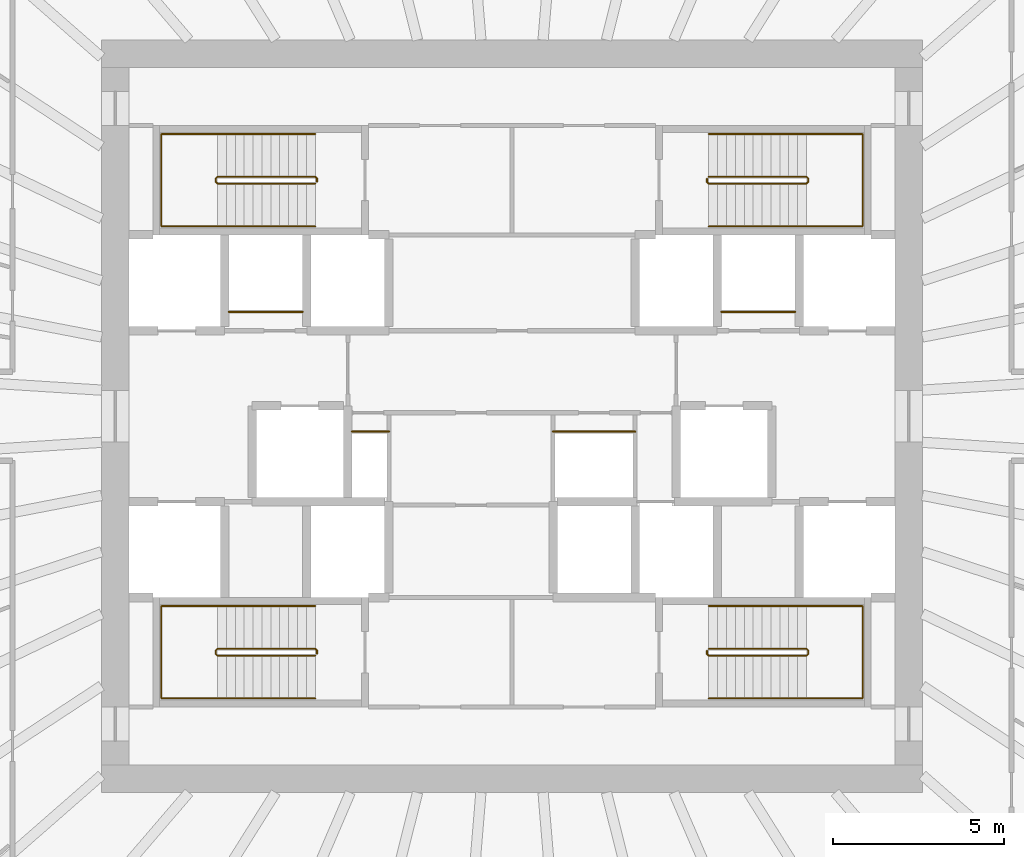
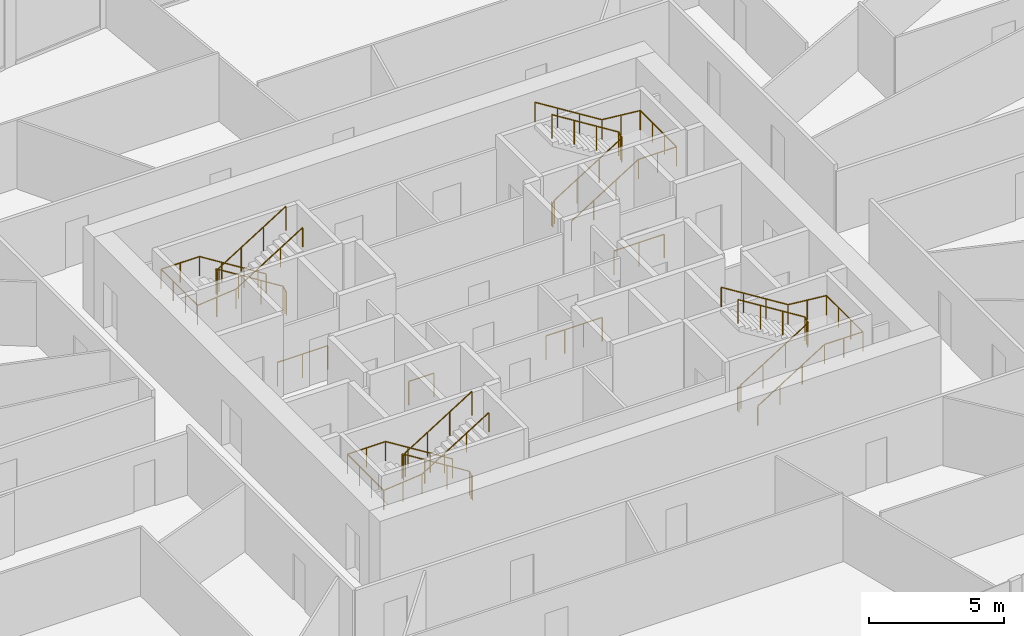
# One storey, part 11 of 11: 12 railings.
"""IFC4 building model written with IfcOpenShell, lengths in metres."""

from ifc_helpers import new_model, si_unit, direction, frame, origin, origin_2d, place, context, subcontext, project, spatial, circle, extrude, source, transform, mapped, material, type_object, element, save


model = new_model("IFC4")

# Units and contexts
model_context = context("Model", 3, precision=1e-05, world=origin(), true_north=direction((0.0, 1.0)))
body_context = subcontext(model_context, "Body", "Model", "MODEL_VIEW")
ifc_project = project(units=[si_unit("LENGTHUNIT", "METRE"), si_unit("AREAUNIT", "SQUARE_METRE"), si_unit("VOLUMEUNIT", "CUBIC_METRE"), si_unit("PLANEANGLEUNIT", "RADIAN"), si_unit("MASSUNIT", "GRAM", prefix="KILO")], contexts=[model_context])

# Site, building, storey
site_placement = place(None, origin())
site = spatial("IfcSite", under=ifc_project, at=site_placement, CompositionType="ELEMENT")
building_placement = place(site_placement, origin())
building = spatial("IfcBuilding", under=site, at=building_placement, Name="Embergate Tower", CompositionType="ELEMENT")
storey_placement = place(building_placement, frame((0.0, 0.0, 207.300048828125)))
storey = spatial("IfcBuildingStorey", under=building, at=storey_placement, Name="L47", CompositionType="ELEMENT", Elevation=207.300048828125)

# Railings
ifc_material_1 = material(Name="Stair guard 1100")
railing_type_1 = type_object("IfcRailingType", Name="Stair guard 1100", PredefinedType="GUARDRAIL", material=ifc_material_1)
shared_shape_1 = source(origin(), body_context, "Body", "SweptSolid", [
    extrude(circle(Radius=0.02392578125, at=origin_2d()), frame((0.0, 0.0, 1.076171875), z_axis=(0.0, 1.0, 0.0), x_axis=(-1.0, 0.0, 0.0)), (0.0, 0.0, 1.0), 0.099853515625),
    extrude(circle(Radius=0.02392578125, at=origin_2d()), frame((0.0, 0.099853515625, 1.076171875), z_axis=(-0.282583949758, 0.282583949758, 0.916674763849), x_axis=(-0.707106781187, -0.707106781187, 0.0)), (0.0, 0.0, 1.0), 0.177001953125),
    extrude(circle(Radius=0.02392578125, at=origin_2d()), frame((-0.050048828125, 0.14990234375, 1.23828125), z_axis=(-0.847994237388, 0.0, 0.530005446535), x_axis=(0.0, -1.0, 0.0)), (0.0, 0.0, 1.0), 3.372802734375),
    extrude(circle(Radius=0.02392578125, at=origin_2d()), frame((-2.91015625, 0.14990234375, 3.02587890625), z_axis=(-0.705375805398, -0.708833529934, 0.0), x_axis=(0.708833529934, -0.705375805398, 0.0)), (0.0, 0.0, 1.0), 0.070556640625),
    extrude(circle(Radius=0.02392578125, at=origin_2d()), frame((-2.9599609375, 0.099853515625, 3.02587890625), z_axis=(0.0, -1.0, 0.0), x_axis=(1.0, 0.0, 0.0)), (0.0, 0.0, 1.0), 0.099853515625),
    extrude(circle(Radius=0.02392578125, at=origin_2d()), frame((-2.9599609375, 0.0, 3.02587890625), z_axis=(0.280959487676, -0.282336740067, 0.917250092119), x_axis=(0.708833529934, 0.705375805398, 0.0)), (0.0, 0.0, 1.0), 0.17724609375),
    extrude(circle(Radius=0.02392578125, at=origin_2d()), frame((-2.91015625, -0.050048828125, 3.1884765625), z_axis=(0.848026770018, 0.0, 0.529953391661), x_axis=(0.0, 1.0, 0.0)), (0.0, 0.0, 1.0), 3.37255859375),
    extrude(circle(Radius=0.02099609375, at=origin_2d()), origin(), (0.0, 0.0, 1.0), 1.052001953125),
    extrude(circle(Radius=0.02099609375, at=origin_2d()), frame((0.0, 0.099853515625, 0.0)), (0.0, 0.0, 1.0), 1.052001953125),
    extrude(circle(Radius=0.02099609375, at=origin_2d()), frame((-0.050048828125, 0.14990234375, 0.162353515625)), (0.0, 0.0, 1.0), 1.052001953125),
    extrude(circle(Radius=0.02099609375, at=origin_2d()), frame((-1.00341796875, 0.14990234375, 0.75830078125)), (0.0, 0.0, 1.0), 1.052001953125),
    extrude(circle(Radius=0.02099609375, at=origin_2d()), frame((-1.956787109375, 0.14990234375, 1.35400390625)), (0.0, 0.0, 1.0), 1.052001953125),
    extrude(circle(Radius=0.02099609375, at=origin_2d()), frame((-2.91015625, 0.14990234375, 1.949951171875)), (0.0, 0.0, 1.0), 1.052001953125),
    extrude(circle(Radius=0.02099609375, at=origin_2d()), frame((-2.9599609375, 0.099853515625, 1.949951171875)), (0.0, 0.0, 1.0), 1.052001953125),
    extrude(circle(Radius=0.02099609375, at=origin_2d()), frame((-2.9599609375, 0.0, 1.949951171875)), (0.0, 0.0, 1.0), 1.052001953125),
    extrude(circle(Radius=0.02099609375, at=origin_2d()), frame((-2.91015625, -0.050048828125, 2.112548828125)), (0.0, 0.0, 1.0), 1.052001953125),
    extrude(circle(Radius=0.02099609375, at=origin_2d()), frame((-1.956787109375, -0.050048828125, 2.708251953125)), (0.0, 0.0, 1.0), 1.052001953125),
    extrude(circle(Radius=0.02099609375, at=origin_2d()), frame((-1.00341796875, -0.050048828125, 3.30419921875)), (0.0, 0.0, 1.0), 1.052001953125),
    extrude(circle(Radius=0.02099609375, at=origin_2d()), frame((-0.050048828125, -0.050048828125, 3.89990234375)), (0.0, 0.0, 1.0), 1.052001953125),
])
for number, where, name in (
    (1, (-5.699951171875, 6.85009765625, 0.0), "L47 ST1 stair guard 1"),
    (2, (-5.699951171875, -6.949951171875, 0.0), "L47 ST3 stair guard 1"),
):
    element("IfcRailing", number, at=place(storey_placement, frame(where)), inside=storey, type_object=railing_type_1, Name=name, PredefinedType="GUARDRAIL", context=body_context, shape_type="MappedRepresentation", body=[
        mapped(shared_shape_1, transform((0.0, 0.0, 0.0))),
    ])
ifc_material_2 = material(Name="Stair handrail 900")
railing_type_2 = type_object("IfcRailingType", Name="Stair handrail 900", PredefinedType="HANDRAIL", material=ifc_material_2)
shared_shape_2 = source(origin(), body_context, "Body", "SweptSolid", [
    extrude(circle(Radius=0.02392578125, at=origin_2d()), frame((0.0, 0.0, 0.8759765625), z_axis=(-0.847994237388, 0.0, 0.530005446535), x_axis=(0.0, -1.0, 0.0)), (0.0, 0.0, 1.0), 3.372802734375),
    extrude(circle(Radius=0.02392578125, at=origin_2d()), frame((-2.860107421875, 0.0, 2.66357421875), z_axis=(-1.0, 0.0, 0.0), x_axis=(0.0, -1.0, 0.0)), (0.0, 0.0, 1.0), 1.639892578125),
    extrude(circle(Radius=0.02392578125, at=origin_2d()), frame((-4.5, 0.0, 2.66357421875), z_axis=(0.0, -1.0, 0.0), x_axis=(1.0, 0.0, 0.0)), (0.0, 0.0, 1.0), 2.699951171875),
    extrude(circle(Radius=0.02392578125, at=origin_2d()), frame((-4.5, -2.699951171875, 2.66357421875), z_axis=(0.995120448088, 0.0, 0.098667592441), x_axis=(0.0, 1.0, 0.0)), (0.0, 0.0, 1.0), 1.64794921875),
    extrude(circle(Radius=0.02392578125, at=origin_2d()), frame((-2.860107421875, -2.699951171875, 2.826171875), z_axis=(0.848026770018, 0.0, 0.529953391661), x_axis=(0.0, 1.0, 0.0)), (0.0, 0.0, 1.0), 3.37255859375),
    extrude(circle(Radius=0.02099609375, at=origin_2d()), origin(), (0.0, 0.0, 1.0), 0.851806640625),
    extrude(circle(Radius=0.02099609375, at=origin_2d()), frame((-0.953369140625, 0.0, 0.595947265625)), (0.0, 0.0, 1.0), 0.851806640625),
    extrude(circle(Radius=0.02099609375, at=origin_2d()), frame((-1.90673828125, 0.0, 1.191650390625)), (0.0, 0.0, 1.0), 0.851806640625),
    extrude(circle(Radius=0.02099609375, at=origin_2d()), frame((-2.860107421875, 0.0, 1.78759765625)), (0.0, 0.0, 1.0), 0.851806640625),
    extrude(circle(Radius=0.02099609375, at=origin_2d()), frame((-3.68017578125, 0.0, 1.78759765625)), (0.0, 0.0, 1.0), 0.851806640625),
    extrude(circle(Radius=0.02099609375, at=origin_2d()), frame((-4.5, 0.0, 1.78759765625)), (0.0, 0.0, 1.0), 0.851806640625),
    extrude(circle(Radius=0.02099609375, at=origin_2d()), frame((-4.5, -0.89990234375, 1.78759765625)), (0.0, 0.0, 1.0), 0.851806640625),
    extrude(circle(Radius=0.02099609375, at=origin_2d()), frame((-4.5, -1.800048828125, 1.78759765625)), (0.0, 0.0, 1.0), 0.851806640625),
    extrude(circle(Radius=0.02099609375, at=origin_2d()), frame((-4.5, -2.699951171875, 1.78759765625)), (0.0, 0.0, 1.0), 0.851806640625),
    extrude(circle(Radius=0.02099609375, at=origin_2d()), frame((-3.68017578125, -2.699951171875, 1.868896484375)), (0.0, 0.0, 1.0), 0.851806640625),
    extrude(circle(Radius=0.02099609375, at=origin_2d()), frame((-2.860107421875, -2.699951171875, 1.9501953125)), (0.0, 0.0, 1.0), 0.851806640625),
    extrude(circle(Radius=0.02099609375, at=origin_2d()), frame((-1.90673828125, -2.699951171875, 2.5458984375)), (0.0, 0.0, 1.0), 0.851806640625),
    extrude(circle(Radius=0.02099609375, at=origin_2d()), frame((-0.953369140625, -2.699951171875, 3.141845703125)), (0.0, 0.0, 1.0), 0.851806640625),
    extrude(circle(Radius=0.02099609375, at=origin_2d()), frame((0.0, -2.699951171875, 3.737548828125)), (0.0, 0.0, 1.0), 0.851806640625),
])
for number, where, name in (
    (3, (-5.75, 8.25, 0.162353515625), "L47 ST1 stair handrail 1"),
    (4, (-5.75, -5.550048828125, 0.162353515625), "L47 ST3 stair handrail 1"),
):
    element("IfcRailing", number, at=place(storey_placement, frame(where)), inside=storey, type_object=railing_type_2, Name=name, PredefinedType="HANDRAIL", context=body_context, shape_type="MappedRepresentation", body=[
        mapped(shared_shape_2, transform((0.0, 0.0, 0.0))),
    ])
shared_shape_3 = source(origin(), body_context, "Body", "SweptSolid", [
    extrude(circle(Radius=0.02392578125, at=origin_2d()), frame((0.0, 0.0, 1.076171875), z_axis=(0.0, -1.0, 0.0), x_axis=(1.0, 0.0, 0.0)), (0.0, 0.0, 1.0), 0.099853515625),
    extrude(circle(Radius=0.02392578125, at=origin_2d()), frame((0.0, -0.099853515625, 1.076171875), z_axis=(0.282583949758, -0.282583949758, 0.916674763849), x_axis=(0.707106781187, 0.707106781187, 0.0)), (0.0, 0.0, 1.0), 0.177001953125),
    extrude(circle(Radius=0.02392578125, at=origin_2d()), frame((0.050048828125, -0.14990234375, 1.23828125), z_axis=(0.847994237388, 0.0, 0.530005446535), x_axis=(0.0, 1.0, 0.0)), (0.0, 0.0, 1.0), 3.372802734375),
    extrude(circle(Radius=0.02392578125, at=origin_2d()), frame((2.91015625, -0.14990234375, 3.02587890625), z_axis=(0.705375805398, 0.708833529934, 0.0), x_axis=(-0.708833529934, 0.705375805398, 0.0)), (0.0, 0.0, 1.0), 0.070556640625),
    extrude(circle(Radius=0.02392578125, at=origin_2d()), frame((2.9599609375, -0.099853515625, 3.02587890625), z_axis=(0.0, 1.0, 0.0), x_axis=(-1.0, 0.0, 0.0)), (0.0, 0.0, 1.0), 0.099853515625),
    extrude(circle(Radius=0.02392578125, at=origin_2d()), frame((2.9599609375, 0.0, 3.02587890625), z_axis=(-0.280959487676, 0.282336740067, 0.917250092119), x_axis=(-0.708833529934, -0.705375805398, 0.0)), (0.0, 0.0, 1.0), 0.17724609375),
    extrude(circle(Radius=0.02392578125, at=origin_2d()), frame((2.91015625, 0.050048828125, 3.1884765625), z_axis=(-0.848026770018, 0.0, 0.529953391661), x_axis=(0.0, -1.0, 0.0)), (0.0, 0.0, 1.0), 3.37255859375),
    extrude(circle(Radius=0.02099609375, at=origin_2d()), origin(), (0.0, 0.0, 1.0), 1.052001953125),
    extrude(circle(Radius=0.02099609375, at=origin_2d()), frame((0.0, -0.099853515625, 0.0)), (0.0, 0.0, 1.0), 1.052001953125),
    extrude(circle(Radius=0.02099609375, at=origin_2d()), frame((0.050048828125, -0.14990234375, 0.162353515625)), (0.0, 0.0, 1.0), 1.052001953125),
    extrude(circle(Radius=0.02099609375, at=origin_2d()), frame((1.00341796875, -0.14990234375, 0.75830078125)), (0.0, 0.0, 1.0), 1.052001953125),
    extrude(circle(Radius=0.02099609375, at=origin_2d()), frame((1.956787109375, -0.14990234375, 1.35400390625)), (0.0, 0.0, 1.0), 1.052001953125),
    extrude(circle(Radius=0.02099609375, at=origin_2d()), frame((2.91015625, -0.14990234375, 1.949951171875)), (0.0, 0.0, 1.0), 1.052001953125),
    extrude(circle(Radius=0.02099609375, at=origin_2d()), frame((2.9599609375, -0.099853515625, 1.949951171875)), (0.0, 0.0, 1.0), 1.052001953125),
    extrude(circle(Radius=0.02099609375, at=origin_2d()), frame((2.9599609375, 0.0, 1.949951171875)), (0.0, 0.0, 1.0), 1.052001953125),
    extrude(circle(Radius=0.02099609375, at=origin_2d()), frame((2.91015625, 0.050048828125, 2.112548828125)), (0.0, 0.0, 1.0), 1.052001953125),
    extrude(circle(Radius=0.02099609375, at=origin_2d()), frame((1.956787109375, 0.050048828125, 2.708251953125)), (0.0, 0.0, 1.0), 1.052001953125),
    extrude(circle(Radius=0.02099609375, at=origin_2d()), frame((1.00341796875, 0.050048828125, 3.30419921875)), (0.0, 0.0, 1.0), 1.052001953125),
    extrude(circle(Radius=0.02099609375, at=origin_2d()), frame((0.050048828125, 0.050048828125, 3.89990234375)), (0.0, 0.0, 1.0), 1.052001953125),
])
for number, where, name in (
    (5, (5.699951171875, 6.949951171875, 0.0), "L47 ST2 stair guard 1"),
    (6, (5.699951171875, -6.85009765625, 0.0), "L47 ST4 stair guard 1"),
):
    element("IfcRailing", number, at=place(storey_placement, frame(where)), inside=storey, type_object=railing_type_1, Name=name, PredefinedType="GUARDRAIL", context=body_context, shape_type="MappedRepresentation", body=[
        mapped(shared_shape_3, transform((0.0, 0.0, 0.0))),
    ])
shared_shape_4 = source(origin(), body_context, "Body", "SweptSolid", [
    extrude(circle(Radius=0.02392578125, at=origin_2d()), frame((0.0, 0.0, 0.8759765625), z_axis=(0.847994237388, 0.0, 0.530005446535), x_axis=(0.0, 1.0, 0.0)), (0.0, 0.0, 1.0), 3.372802734375),
    extrude(circle(Radius=0.02392578125, at=origin_2d()), frame((2.860107421875, 0.0, 2.66357421875), z_axis=(1.0, 0.0, 0.0), x_axis=(0.0, 1.0, 0.0)), (0.0, 0.0, 1.0), 1.639892578125),
    extrude(circle(Radius=0.02392578125, at=origin_2d()), frame((4.5, 0.0, 2.66357421875), z_axis=(0.0, 1.0, 0.0), x_axis=(-1.0, 0.0, 0.0)), (0.0, 0.0, 1.0), 2.699951171875),
    extrude(circle(Radius=0.02392578125, at=origin_2d()), frame((4.5, 2.699951171875, 2.66357421875), z_axis=(-0.995120448088, 0.0, 0.098667592441), x_axis=(0.0, -1.0, 0.0)), (0.0, 0.0, 1.0), 1.64794921875),
    extrude(circle(Radius=0.02392578125, at=origin_2d()), frame((2.860107421875, 2.699951171875, 2.826171875), z_axis=(-0.848026770018, 0.0, 0.529953391661), x_axis=(0.0, -1.0, 0.0)), (0.0, 0.0, 1.0), 3.37255859375),
    extrude(circle(Radius=0.02099609375, at=origin_2d()), origin(), (0.0, 0.0, 1.0), 0.851806640625),
    extrude(circle(Radius=0.02099609375, at=origin_2d()), frame((0.953369140625, 0.0, 0.595947265625)), (0.0, 0.0, 1.0), 0.851806640625),
    extrude(circle(Radius=0.02099609375, at=origin_2d()), frame((1.90673828125, 0.0, 1.191650390625)), (0.0, 0.0, 1.0), 0.851806640625),
    extrude(circle(Radius=0.02099609375, at=origin_2d()), frame((2.860107421875, 0.0, 1.78759765625)), (0.0, 0.0, 1.0), 0.851806640625),
    extrude(circle(Radius=0.02099609375, at=origin_2d()), frame((3.68017578125, 0.0, 1.78759765625)), (0.0, 0.0, 1.0), 0.851806640625),
    extrude(circle(Radius=0.02099609375, at=origin_2d()), frame((4.5, 0.0, 1.78759765625)), (0.0, 0.0, 1.0), 0.851806640625),
    extrude(circle(Radius=0.02099609375, at=origin_2d()), frame((4.5, 0.89990234375, 1.78759765625)), (0.0, 0.0, 1.0), 0.851806640625),
    extrude(circle(Radius=0.02099609375, at=origin_2d()), frame((4.5, 1.800048828125, 1.78759765625)), (0.0, 0.0, 1.0), 0.851806640625),
    extrude(circle(Radius=0.02099609375, at=origin_2d()), frame((4.5, 2.699951171875, 1.78759765625)), (0.0, 0.0, 1.0), 0.851806640625),
    extrude(circle(Radius=0.02099609375, at=origin_2d()), frame((3.68017578125, 2.699951171875, 1.868896484375)), (0.0, 0.0, 1.0), 0.851806640625),
    extrude(circle(Radius=0.02099609375, at=origin_2d()), frame((2.860107421875, 2.699951171875, 1.9501953125)), (0.0, 0.0, 1.0), 0.851806640625),
    extrude(circle(Radius=0.02099609375, at=origin_2d()), frame((1.90673828125, 2.699951171875, 2.5458984375)), (0.0, 0.0, 1.0), 0.851806640625),
    extrude(circle(Radius=0.02099609375, at=origin_2d()), frame((0.953369140625, 2.699951171875, 3.141845703125)), (0.0, 0.0, 1.0), 0.851806640625),
    extrude(circle(Radius=0.02099609375, at=origin_2d()), frame((0.0, 2.699951171875, 3.737548828125)), (0.0, 0.0, 1.0), 0.851806640625),
])
for number, where, name in (
    (7, (5.75, 5.550048828125, 0.162353515625), "L47 ST2 stair handrail 1"),
    (8, (5.75, -8.25, 0.162353515625), "L47 ST4 stair handrail 1"),
):
    element("IfcRailing", number, at=place(storey_placement, frame(where)), inside=storey, type_object=railing_type_2, Name=name, PredefinedType="HANDRAIL", context=body_context, shape_type="MappedRepresentation", body=[
        mapped(shared_shape_4, transform((0.0, 0.0, 0.0))),
    ])
ifc_material_3 = material(Name="Opening guard 1100")
railing_type_3 = type_object("IfcRailingType", Name="Opening guard 1100", PredefinedType="GUARDRAIL", material=ifc_material_3)
shared_shape_5 = source(origin(), body_context, "Body", "SweptSolid", [
    extrude(circle(Radius=0.02392578125, at=origin_2d()), frame((0.0, 0.0, 1.076171875), z_axis=(1.0, 0.0, 0.0), x_axis=(0.0, 1.0, 0.0)), (0.0, 0.0, 1.0), 2.14990234375),
    extrude(circle(Radius=0.02099609375, at=origin_2d()), origin(), (0.0, 0.0, 1.0), 1.052001953125),
    extrude(circle(Radius=0.02099609375, at=origin_2d()), frame((1.074951171875, 0.0, 0.0)), (0.0, 0.0, 1.0), 1.052001953125),
    extrude(circle(Radius=0.02099609375, at=origin_2d()), frame((2.14990234375, 0.0, 0.0)), (0.0, 0.0, 1.0), 1.052001953125),
])
for number, where, name in (
    (9, (-8.27490234375, 3.050048828125, 0.0), "Riser opening guard"),
    (10, (6.125, 3.050048828125, 0.0), "Riser opening guard"),
):
    element("IfcRailing", number, at=place(storey_placement, frame(where)), inside=storey, type_object=railing_type_3, Name=name, PredefinedType="GUARDRAIL", context=body_context, shape_type="MappedRepresentation", body=[
        mapped(shared_shape_5, transform((0.0, 0.0, 0.0))),
    ])
shared_shape_6 = source(origin(), body_context, "Body", "SweptSolid", [
    extrude(circle(Radius=0.02392578125, at=origin_2d()), frame((0.0, 0.0, 1.076171875), z_axis=(1.0, 0.0, 0.0), x_axis=(0.0, 1.0, 0.0)), (0.0, 0.0, 1.0), 1.074951171875),
    extrude(circle(Radius=0.02099609375, at=origin_2d()), origin(), (0.0, 0.0, 1.0), 1.052001953125),
    extrude(circle(Radius=0.02099609375, at=origin_2d()), frame((1.074951171875, 0.0, 0.0)), (0.0, 0.0, 1.0), 1.052001953125),
])
railing_1_placement = place(storey_placement, frame((-4.675048828125, -0.449951171875, 0.0)))
element("IfcRailing", 11, at=railing_1_placement, inside=storey, type_object=railing_type_3, Name="Riser opening guard", PredefinedType="GUARDRAIL", context=body_context, shape_type="MappedRepresentation", body=[
    mapped(shared_shape_6, transform((0.0, 0.0, 0.0))),
])
shared_shape_7 = source(origin(), body_context, "Body", "SweptSolid", [
    extrude(circle(Radius=0.02392578125, at=origin_2d()), frame((0.0, 0.0, 1.076171875), z_axis=(1.0, 0.0, 0.0), x_axis=(0.0, 1.0, 0.0)), (0.0, 0.0, 1.0), 2.400146484375),
    extrude(circle(Radius=0.02099609375, at=origin_2d()), origin(), (0.0, 0.0, 1.0), 1.052001953125),
    extrude(circle(Radius=0.02099609375, at=origin_2d()), frame((0.800048828125, 0.0, 0.0)), (0.0, 0.0, 1.0), 1.052001953125),
    extrude(circle(Radius=0.02099609375, at=origin_2d()), frame((1.60009765625, 0.0, 0.0)), (0.0, 0.0, 1.0), 1.052001953125),
    extrude(circle(Radius=0.02099609375, at=origin_2d()), frame((2.400146484375, 0.0, 0.0)), (0.0, 0.0, 1.0), 1.052001953125),
])
railing_2_placement = place(storey_placement, frame((1.199951171875, -0.449951171875, 0.0)))
element("IfcRailing", 12, at=railing_2_placement, inside=storey, type_object=railing_type_3, Name="Riser opening guard", PredefinedType="GUARDRAIL", context=body_context, shape_type="MappedRepresentation", body=[
    mapped(shared_shape_7, transform((0.0, 0.0, 0.0))),
])

save(model, "model.ifc")
